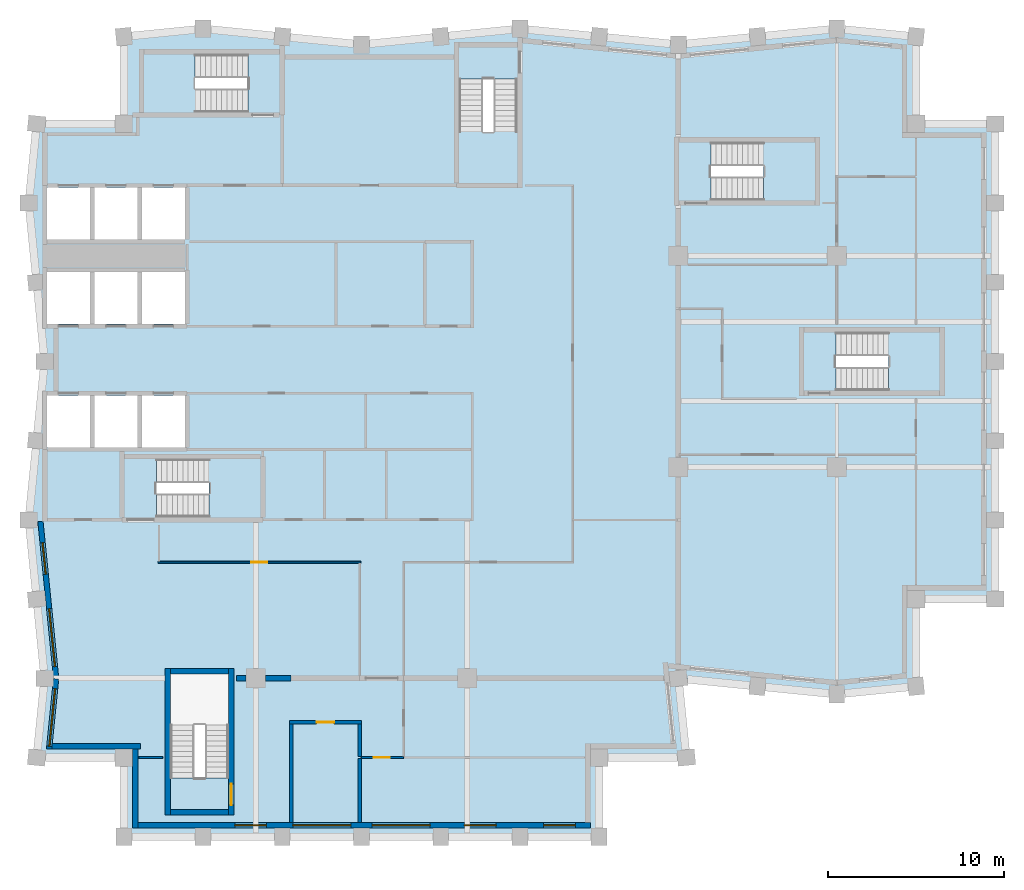
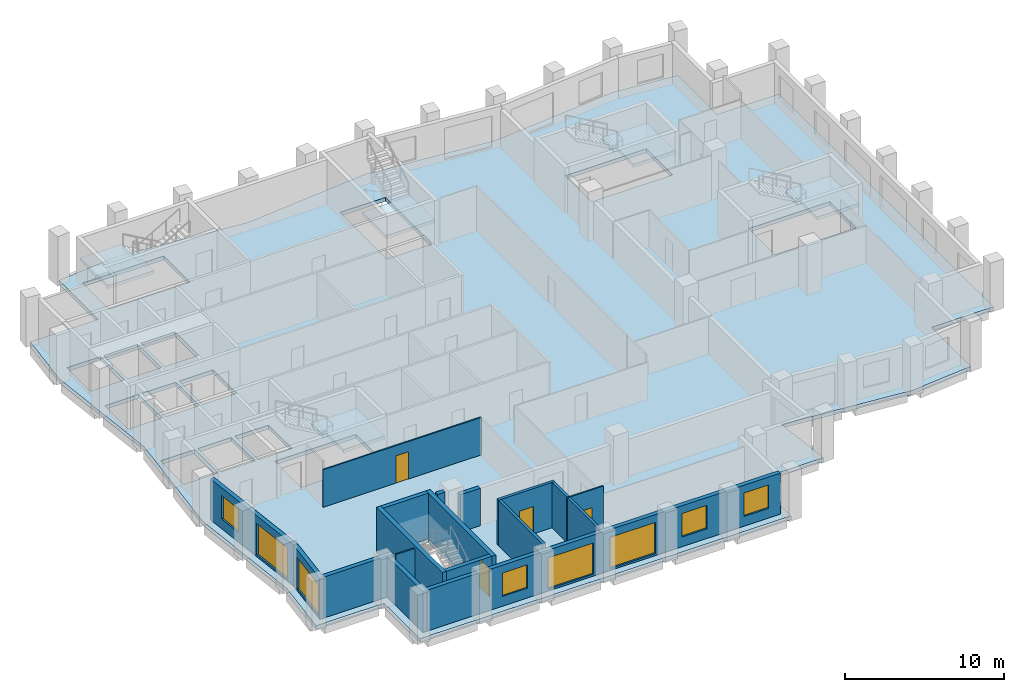
# One storey, part 2 of 8: 18 walls, 8 windows, 6 slabs, 4 doors, 12 openings, 5 elements without a shape of their own.
"""IFC4 building model written with IfcOpenShell, lengths in metres."""

from ifc_helpers import new_model, si_unit, direction, frame, frame_2d, origin, place, context, subcontext, project, spatial, polyline, rectangle, outline, extrude, material, layer, layer_set, type_object, element, fill, aggregate, save


model = new_model("IFC4")

# Units and contexts
model_context = context("Model", 3, precision=1e-05, world=origin(), true_north=direction((0.0, 1.0)))
body_context = subcontext(model_context, "Body", "Model", "MODEL_VIEW")
ifc_project = project(units=[si_unit("LENGTHUNIT", "METRE"), si_unit("AREAUNIT", "SQUARE_METRE"), si_unit("VOLUMEUNIT", "CUBIC_METRE"), si_unit("PLANEANGLEUNIT", "RADIAN"), si_unit("MASSUNIT", "GRAM", prefix="KILO")], contexts=[model_context])

# Site, building, storey
site_placement = place(None, origin())
site = spatial("IfcSite", under=ifc_project, at=site_placement, CompositionType="ELEMENT")
building_placement = place(site_placement, origin())
building = spatial("IfcBuilding", under=site, at=building_placement, Name="Brondeck Convention Tower", CompositionType="ELEMENT")
storey_placement = place(building_placement, frame((0.0, 0.0, 236.800048828125)))
storey = spatial("IfcBuildingStorey", under=building, at=storey_placement, Name="L58", CompositionType="ELEMENT", Elevation=236.800048828125)

# Slab
ifc_material_1 = material(Name="Concrete C35/45", Category="concrete")
ifc_layer_1 = layer(ifc_material_1, 0.300048828125)
ifc_layer_set_1 = layer_set([ifc_layer_1], Name="Composite floor slab 300")
slab_type_1 = type_object("IfcSlabType", Name="Composite floor slab 300", PredefinedType="FLOOR", material=ifc_layer_set_1)
slab_1_placement = place(storey_placement, frame((0.0, 0.0, -0.300048828125)))
element("IfcSlab", 1, at=slab_1_placement, inside=storey, type_object=slab_type_1, Name="STR-SL-L58", PredefinedType="FLOOR", context=body_context, shape_type="SweptSolid", body=[
    extrude(outline(polyline([(4.5, 22.5), (-0.449951171875, 22.5), (0.0, 27.0), (-0.89990234375, 36.0), (0.0, 45.0), (-0.89990234375, 54.0), (-0.449951171875, 58.5), (4.5, 58.5), (4.5, 63.449951171875), (9.0, 63.89990234375), (18.0, 63.0), (27.0, 63.89990234375), (36.0, 63.0), (45.0, 63.89990234375), (49.5, 63.449951171875), (49.5, 58.5), (54.0, 58.5), (54.0, 31.5), (49.5, 31.5), (49.5, 26.550048828125), (45.0, 26.10009765625), (36.0, 27.0), (36.449951171875, 22.5), (31.5, 22.5), (31.5, 18.0), (4.5, 18.0), (4.5, 22.5)]), holes=[polyline([(2.574951171875, 43.074951171875), (0.125, 43.074951171875), (0.125, 40.125), (2.574951171875, 40.125), (2.574951171875, 43.074951171875)]), polyline([(5.27490234375, 40.125), (5.27490234375, 43.074951171875), (2.824951171875, 43.074951171875), (2.824951171875, 40.125), (5.27490234375, 40.125)]), polyline([(7.97509765625, 40.125), (7.97509765625, 43.074951171875), (5.52490234375, 43.074951171875), (5.52490234375, 40.125), (7.97509765625, 40.125)]), polyline([(2.574951171875, 47.125), (2.574951171875, 50.074951171875), (0.125, 50.074951171875), (0.125, 47.125), (2.574951171875, 47.125)]), polyline([(5.27490234375, 47.125), (5.27490234375, 50.074951171875), (2.824951171875, 50.074951171875), (2.824951171875, 47.125), (5.27490234375, 47.125)]), polyline([(7.97509765625, 47.125), (7.97509765625, 50.074951171875), (5.52490234375, 50.074951171875), (5.52490234375, 47.125), (7.97509765625, 47.125)]), polyline([(2.574951171875, 51.925048828125), (2.574951171875, 54.875), (0.125, 54.875), (0.125, 51.925048828125), (2.574951171875, 51.925048828125)]), polyline([(5.27490234375, 51.925048828125), (5.27490234375, 54.875), (2.824951171875, 54.875), (2.824951171875, 51.925048828125), (5.27490234375, 51.925048828125)]), polyline([(10.447998046875, 27.248046875), (7.152099609375, 27.248046875), (7.152099609375, 21.35205078125), (10.447998046875, 21.35205078125), (10.447998046875, 27.248046875)]), polyline([(12.248046875, 36.152099609375), (12.248046875, 39.447998046875), (6.35205078125, 39.447998046875), (6.35205078125, 36.152099609375), (12.248046875, 36.152099609375)]), polyline([(50.847900390625, 43.35205078125), (50.847900390625, 46.64794921875), (44.951904296875, 46.64794921875), (44.951904296875, 43.35205078125), (50.847900390625, 43.35205078125)]), polyline([(7.97509765625, 51.925048828125), (7.97509765625, 54.875), (5.52490234375, 54.875), (5.52490234375, 51.925048828125), (7.97509765625, 51.925048828125)]), polyline([(43.748046875, 54.152099609375), (43.748046875, 57.447998046875), (37.85205078125, 57.447998046875), (37.85205078125, 54.152099609375), (43.748046875, 54.152099609375)]), polyline([(23.552001953125, 55.152099609375), (26.847900390625, 55.152099609375), (26.847900390625, 61.048095703125), (23.552001953125, 61.048095703125), (23.552001953125, 55.152099609375)]), polyline([(5.652099609375, 62.447998046875), (5.652099609375, 59.152099609375), (11.548095703125, 59.152099609375), (11.548095703125, 62.447998046875), (5.652099609375, 62.447998046875)])]), origin(), (0.0, 0.0, 1.0), 0.300048828125),
])

# Stair, slab
ifc_material_2 = material(Name="Precast concrete C50/60", Category="concrete")
stair_type = type_object("IfcStairType", Name="Core stair 22 risers 172.73 mm riser 300 mm going 1350 wide", PredefinedType="HALF_TURN_STAIR", material=ifc_material_2)
stair_1_placement = place(storey_placement, origin())
stair_1 = element("IfcStair", 2, at=stair_1_placement, inside=storey, type_object=stair_type, Name="ST-1 L58 stair", PredefinedType="HALF_TURN_STAIR")
ifc_layer_2 = layer(ifc_material_2, 0.25)
ifc_layer_set_2 = layer_set([ifc_layer_2], Name="Core stair landing 250 Precast concrete C50/60")
slab_type_2 = type_object("IfcSlabType", Name="Core stair landing 250 Precast concrete C50/60", PredefinedType="LANDING", material=ifc_layer_set_2)
slab_2_placement = place(storey_placement, frame((0.0, 0.0, 1.64990234375)))
slab_2 = element("IfcSlab", 3, at=slab_2_placement, type_object=slab_type_2, Name="ST-1 landing 1", PredefinedType="LANDING", context=body_context, shape_type="SweptSolid", body=[
    extrude(outline(polyline([(9.347900390625, 37.5), (9.35009765625, 37.5), (9.35009765625, 38.10009765625), (9.050048828125, 38.10009765625), (9.050048828125, 39.570068359375), (12.3701171875, 39.570068359375), (12.3701171875, 36.030029296875), (9.347900390625, 36.030029296875), (9.347900390625, 37.5)])), origin(), (0.0, 0.0, 1.0), 0.25),
])
aggregate(stair_1, [slab_2])

stair_2_placement = place(storey_placement, origin())
stair_2 = element("IfcStair", 4, at=stair_2_placement, inside=storey, type_object=stair_type, Name="ST-2 L58 stair", PredefinedType="HALF_TURN_STAIR")
slab_3_placement = place(storey_placement, frame((0.0, 0.0, 1.64990234375)))
slab_3 = element("IfcSlab", 5, at=slab_3_placement, type_object=slab_type_2, Name="ST-2 landing 1", PredefinedType="LANDING", context=body_context, shape_type="SweptSolid", body=[
    extrude(outline(polyline([(23.429931640625, 58.052001953125), (24.89990234375, 58.052001953125), (24.89990234375, 58.050048828125), (25.5, 58.050048828125), (25.5, 58.35009765625), (26.969970703125, 58.35009765625), (26.969970703125, 55.030029296875), (23.429931640625, 55.030029296875), (23.429931640625, 58.052001953125)])), origin(), (0.0, 0.0, 1.0), 0.25),
])
aggregate(stair_2, [slab_3])

stair_3_placement = place(storey_placement, origin())
stair_3 = element("IfcStair", 6, at=stair_3_placement, inside=storey, type_object=stair_type, Name="ST-3 L58 stair", PredefinedType="HALF_TURN_STAIR")
slab_4_placement = place(storey_placement, frame((0.0, 0.0, 1.64990234375)))
slab_4 = element("IfcSlab", 7, at=slab_4_placement, type_object=slab_type_2, Name="ST-3 landing 1", PredefinedType="LANDING", context=body_context, shape_type="SweptSolid", body=[
    extrude(outline(polyline([(8.85009765625, 60.5), (8.85009765625, 59.030029296875), (5.530029296875, 59.030029296875), (5.530029296875, 62.570068359375), (8.552001953125, 62.570068359375), (8.552001953125, 61.10009765625), (8.550048828125, 61.10009765625), (8.550048828125, 60.5), (8.85009765625, 60.5)])), origin(), (0.0, 0.0, 1.0), 0.25),
])
aggregate(stair_3, [slab_4])

stair_4_placement = place(storey_placement, origin())
stair_4 = element("IfcStair", 8, at=stair_4_placement, inside=storey, type_object=stair_type, Name="ST-AE L58 stair", PredefinedType="HALF_TURN_STAIR")
slab_5_placement = place(storey_placement, frame((0.0, 0.0, 1.64990234375)))
slab_5 = element("IfcSlab", 9, at=slab_5_placement, type_object=slab_type_2, Name="ST-AE landing 1", PredefinedType="LANDING", context=body_context, shape_type="SweptSolid", body=[
    extrude(outline(polyline([(40.847900390625, 55.5), (40.85009765625, 55.5), (40.85009765625, 56.10009765625), (40.550048828125, 56.10009765625), (40.550048828125, 57.570068359375), (43.8701171875, 57.570068359375), (43.8701171875, 54.030029296875), (40.847900390625, 54.030029296875), (40.847900390625, 55.5)])), origin(), (0.0, 0.0, 1.0), 0.25),
])
aggregate(stair_4, [slab_5])

stair_5_placement = place(storey_placement, origin())
stair_5 = element("IfcStair", 10, at=stair_5_placement, inside=storey, type_object=stair_type, Name="ST-AF L58 stair", PredefinedType="HALF_TURN_STAIR")
slab_6_placement = place(storey_placement, frame((0.0, 0.0, 1.64990234375)))
slab_6 = element("IfcSlab", 11, at=slab_6_placement, type_object=slab_type_2, Name="ST-AF landing 1", PredefinedType="LANDING", context=body_context, shape_type="SweptSolid", body=[
    extrude(outline(polyline([(47.947998046875, 44.699951171875), (47.949951171875, 44.699951171875), (47.949951171875, 45.300048828125), (47.64990234375, 45.300048828125), (47.64990234375, 46.77001953125), (50.969970703125, 46.77001953125), (50.969970703125, 43.22998046875), (47.947998046875, 43.22998046875), (47.947998046875, 44.699951171875)])), origin(), (0.0, 0.0, 1.0), 0.25),
])
aggregate(stair_5, [slab_6])

# Walls
ifc_material_3 = material(Name="Concrete compartment wall C30/37", Category="concrete")
ifc_layer_3 = layer(ifc_material_3, 0.300048828125)
ifc_layer_set_3 = layer_set([ifc_layer_3], Name="Compartment wall 300")
wall_type_1 = type_object("IfcWallType", Name="Compartment wall 300", PredefinedType="PARTITIONING", material=ifc_layer_set_3)
wall_1_placement = place(storey_placement, frame((10.89990234375, 27.0, 0.0), z_axis=(0.0, 0.0, 1.0), x_axis=(1.0, 0.0, 0.0)))
element("IfcWall", 12, at=wall_1_placement, inside=storey, type_object=wall_type_1, Name="FLR-L58-W013", PredefinedType="PARTITIONING", context=body_context, shape_type="SweptSolid", body=[
    extrude(rectangle(XDim=0.545166015625, YDim=0.300048828125, at=frame_2d((0.2724609375, 0.0))), origin(), (0.0, 0.0, 1.0), 3.47998046875),
])
wall_2_placement = place(storey_placement, frame((12.554931640625, 27.0, 0.0), z_axis=(0.0, 0.0, 1.0), x_axis=(1.0, 0.0, 0.0)))
element("IfcWall", 13, at=wall_2_placement, inside=storey, type_object=wall_type_1, Name="FLR-L58-W014", PredefinedType="PARTITIONING", context=body_context, shape_type="SweptSolid", body=[
    extrude(rectangle(XDim=1.445068359375, YDim=0.300048828125, at=frame_2d((0.72265625, 0.0))), origin(), (0.0, 0.0, 1.0), 2.8798828125),
])

# Wall, openings, windows
ifc_material_4 = material(Name="Precast concrete C50/60 bronze finish", Category="concrete")
ifc_layer_4 = layer(ifc_material_4, 0.070068359375, Name="Bronze precast facing")
ifc_material_5 = material(Name="Mineral wool")
ifc_layer_5 = layer(ifc_material_5, 0.159912109375, Name="Insulation")
ifc_layer_6 = layer(ifc_material_1, 0.070068359375, Name="Backing")
ifc_layer_set_4 = layer_set([ifc_layer_4, ifc_layer_5, ifc_layer_6], Name="External infill wall, precast concrete C50/60 bronze facing")
wall_type_2 = type_object("IfcWallType", Name="External infill wall, precast concrete C50/60 bronze facing", PredefinedType="SOLIDWALL", material=ifc_layer_set_4)
wall_3_placement = place(storey_placement, frame((31.0, 18.64990234375, 0.0), z_axis=(0.0, 0.0, 1.0), x_axis=(-1.0, 0.0, 0.0)))
wall_3 = element("IfcWall", 14, at=wall_3_placement, inside=storey, type_object=wall_type_2, Name="ENV-EW-L58-P2-B-S18-01", PredefinedType="SOLIDWALL", context=body_context, shape_type="SweptSolid", body=[
    extrude(rectangle(XDim=25.699951171875, YDim=0.300048828125, at=frame_2d((12.85009765625, 0.0))), origin(), (0.0, 0.0, 1.0), 3.14990234375),
])
opening_1_placement = place(wall_3_placement, frame((0.85009765625, 0.0, 0.75)))
opening_1 = element("IfcOpeningElement", 15, at=opening_1_placement, cuts=wall_3, Name="Opening W10", PredefinedType="OPENING", context=body_context, shape_type="SweptSolid", body=[
    extrude(rectangle(XDim=1.800048828125, YDim=1.800048828125, at=frame_2d((0.89990234375, 0.89990234375))), frame((0.0, 0.159912109375, 0.0), z_axis=(0.0, -1.0, 0.0), x_axis=(1.0, 0.0, 0.0)), (0.0, 0.0, 1.0), 0.320068359375),
])
opening_2_placement = place(wall_3_placement, frame((5.35009765625, 0.0, 0.75)))
opening_2 = element("IfcOpeningElement", 16, at=opening_2_placement, cuts=wall_3, Name="Opening W10", PredefinedType="OPENING", context=body_context, shape_type="SweptSolid", body=[
    extrude(rectangle(XDim=1.800048828125, YDim=1.800048828125, at=frame_2d((0.89990234375, 0.89990234375))), frame((0.0, 0.159912109375, 0.0), z_axis=(0.0, -1.0, 0.0), x_axis=(1.0, 0.0, 0.0)), (0.0, 0.0, 1.0), 0.320068359375),
])
opening_3_placement = place(wall_3_placement, frame((9.10009765625, 0.0, 0.14990234375)))
opening_3 = element("IfcOpeningElement", 17, at=opening_3_placement, cuts=wall_3, Name="Opening W9", PredefinedType="OPENING", context=body_context, shape_type="SweptSolid", body=[
    extrude(rectangle(XDim=3.300048828125, YDim=2.39990234375, at=frame_2d((1.64990234375, 1.199951171875))), frame((0.0, 0.159912109375, 0.0), z_axis=(0.0, -1.0, 0.0), x_axis=(1.0, 0.0, 0.0)), (0.0, 0.0, 1.0), 0.320068359375),
])
opening_4_placement = place(wall_3_placement, frame((13.60009765625, 0.0, 0.14990234375)))
opening_4 = element("IfcOpeningElement", 18, at=opening_4_placement, cuts=wall_3, Name="Opening W9", PredefinedType="OPENING", context=body_context, shape_type="SweptSolid", body=[
    extrude(rectangle(XDim=3.300048828125, YDim=2.39990234375, at=frame_2d((1.64990234375, 1.199951171875))), frame((0.0, 0.159912109375, 0.0), z_axis=(0.0, -1.0, 0.0), x_axis=(1.0, 0.0, 0.0)), (0.0, 0.0, 1.0), 0.320068359375),
])
opening_5_placement = place(wall_3_placement, frame((18.39990234375, 0.0, 0.75)))
opening_5 = element("IfcOpeningElement", 19, at=opening_5_placement, cuts=wall_3, Name="Opening W10", PredefinedType="OPENING", context=body_context, shape_type="SweptSolid", body=[
    extrude(rectangle(XDim=1.800048828125, YDim=1.800048828125, at=frame_2d((0.89990234375, 0.89990234375))), frame((0.0, 0.159912109375, 0.0), z_axis=(0.0, -1.0, 0.0), x_axis=(1.0, 0.0, 0.0)), (0.0, 0.0, 1.0), 0.320068359375),
])
ifc_material_6 = material(Name="Bronze tinted double glazing", Category="glass")
window_type_1 = type_object("IfcWindowType", Name="Glazed flute window, bronze tinted", PartitioningType="SINGLE_PANEL", PredefinedType="WINDOW", material=ifc_material_6)
window_1_placement = place(opening_3_placement, origin())
window_1 = element("IfcWindow", 20, at=window_1_placement, inside=storey, type_object=window_type_1, Name="ENV-WN-L58-P2-B-S18-04", OverallHeight=2.39990234375, OverallWidth=3.300048828125, PartitioningType="SINGLE_PANEL", PredefinedType="WINDOW", context=body_context, shape_type="SweptSolid", body=[
    extrude(rectangle(XDim=3.300048828125, YDim=2.39990234375, at=frame_2d((1.64990234375, 1.199951171875))), frame((0.0, 0.030029296875, 0.0), z_axis=(0.0, -1.0, 0.0), x_axis=(1.0, 0.0, 0.0)), (0.0, 0.0, 1.0), 0.06005859375),
])
fill(opening_3, window_1)
window_2_placement = place(opening_4_placement, origin())
window_2 = element("IfcWindow", 21, at=window_2_placement, inside=storey, type_object=window_type_1, Name="ENV-WN-L58-P2-B-S18-03", OverallHeight=2.39990234375, OverallWidth=3.300048828125, PartitioningType="SINGLE_PANEL", PredefinedType="WINDOW", context=body_context, shape_type="SweptSolid", body=[
    extrude(rectangle(XDim=3.300048828125, YDim=2.39990234375, at=frame_2d((1.64990234375, 1.199951171875))), frame((0.0, 0.030029296875, 0.0), z_axis=(0.0, -1.0, 0.0), x_axis=(1.0, 0.0, 0.0)), (0.0, 0.0, 1.0), 0.06005859375),
])
fill(opening_4, window_2)
window_type_2 = type_object("IfcWindowType", Name="Punched window, bronze tinted", PartitioningType="SINGLE_PANEL", PredefinedType="WINDOW", material=ifc_material_6)
window_3_placement = place(opening_1_placement, origin())
window_3 = element("IfcWindow", 22, at=window_3_placement, inside=storey, type_object=window_type_2, Name="ENV-WN-L58-P2-B-S18-06", OverallHeight=1.800048828125, OverallWidth=1.800048828125, PartitioningType="SINGLE_PANEL", PredefinedType="WINDOW", context=body_context, shape_type="SweptSolid", body=[
    extrude(rectangle(XDim=1.800048828125, YDim=1.800048828125, at=frame_2d((0.89990234375, 0.89990234375))), frame((0.0, 0.030029296875, 0.0), z_axis=(0.0, -1.0, 0.0), x_axis=(1.0, 0.0, 0.0)), (0.0, 0.0, 1.0), 0.06005859375),
])
fill(opening_1, window_3)
window_4_placement = place(opening_2_placement, origin())
window_4 = element("IfcWindow", 23, at=window_4_placement, inside=storey, type_object=window_type_2, Name="ENV-WN-L58-P2-B-S18-05", OverallHeight=1.800048828125, OverallWidth=1.800048828125, PartitioningType="SINGLE_PANEL", PredefinedType="WINDOW", context=body_context, shape_type="SweptSolid", body=[
    extrude(rectangle(XDim=1.800048828125, YDim=1.800048828125, at=frame_2d((0.89990234375, 0.89990234375))), frame((0.0, 0.030029296875, 0.0), z_axis=(0.0, -1.0, 0.0), x_axis=(1.0, 0.0, 0.0)), (0.0, 0.0, 1.0), 0.06005859375),
])
fill(opening_2, window_4)
window_5_placement = place(opening_5_placement, origin())
window_5 = element("IfcWindow", 24, at=window_5_placement, inside=storey, type_object=window_type_2, Name="ENV-WN-L58-P2-B-S18-02", OverallHeight=1.800048828125, OverallWidth=1.800048828125, PartitioningType="SINGLE_PANEL", PredefinedType="WINDOW", context=body_context, shape_type="SweptSolid", body=[
    extrude(rectangle(XDim=1.800048828125, YDim=1.800048828125, at=frame_2d((0.89990234375, 0.89990234375))), frame((0.0, 0.030029296875, 0.0), z_axis=(0.0, -1.0, 0.0), x_axis=(1.0, 0.0, 0.0)), (0.0, 0.0, 1.0), 0.06005859375),
])
fill(opening_5, window_5)

wall_4_placement = place(storey_placement, frame((0.65478515625, 26.985107421875, 0.0), z_axis=(0.0, 0.0, 1.0), x_axis=(-0.099509105781, 0.995036651519, 0.0)))
wall_4 = element("IfcWall", 25, at=wall_4_placement, inside=storey, type_object=wall_type_2, Name="ENV-EW-L58-P2-B-W-06", PredefinedType="SOLIDWALL", context=body_context, shape_type="SweptSolid", body=[
    extrude(rectangle(XDim=8.974609375, YDim=0.300048828125, at=frame_2d((4.4873046875, 0.0))), origin(), (0.0, 0.0, 1.0), 3.14990234375),
])
opening_6_placement = place(wall_4_placement, frame((0.691162109375, 0.0, 0.14990234375)))
opening_6 = element("IfcOpeningElement", 26, at=opening_6_placement, cuts=wall_4, Name="Opening W9", PredefinedType="OPENING", context=body_context, shape_type="SweptSolid", body=[
    extrude(rectangle(XDim=3.300048828125, YDim=2.39990234375, at=frame_2d((1.64990234375, 1.199951171875))), frame((0.0, 0.159912109375, 0.0), z_axis=(0.0, -1.0, 0.0), x_axis=(1.0, 0.0, 0.0)), (0.0, 0.0, 1.0), 0.320068359375),
])
opening_7_placement = place(wall_4_placement, frame((5.963623046875, 0.0, 0.75)))
opening_7 = element("IfcOpeningElement", 27, at=opening_7_placement, cuts=wall_4, Name="Opening W10", PredefinedType="OPENING", context=body_context, shape_type="SweptSolid", body=[
    extrude(rectangle(XDim=1.800048828125, YDim=1.800048828125, at=frame_2d((0.89990234375, 0.89990234375))), frame((0.0, 0.159912109375, 0.0), z_axis=(0.0, -1.0, 0.0), x_axis=(1.0, 0.0, 0.0)), (0.0, 0.0, 1.0), 0.320068359375),
])
window_6_placement = place(opening_6_placement, origin())
window_6 = element("IfcWindow", 28, at=window_6_placement, inside=storey, type_object=window_type_1, Name="ENV-WN-L58-P2-B-W-07", OverallHeight=2.39990234375, OverallWidth=3.300048828125, PartitioningType="SINGLE_PANEL", PredefinedType="WINDOW", context=body_context, shape_type="SweptSolid", body=[
    extrude(rectangle(XDim=3.300048828125, YDim=2.39990234375, at=frame_2d((1.64990234375, 1.199951171875))), frame((0.0, 0.030029296875, 0.0), z_axis=(0.0, -1.0, 0.0), x_axis=(1.0, 0.0, 0.0)), (0.0, 0.0, 1.0), 0.06005859375),
])
fill(opening_6, window_6)
window_7_placement = place(opening_7_placement, origin())
window_7 = element("IfcWindow", 29, at=window_7_placement, inside=storey, type_object=window_type_2, Name="ENV-WN-L58-P2-B-W-06", OverallHeight=1.800048828125, OverallWidth=1.800048828125, PartitioningType="SINGLE_PANEL", PredefinedType="WINDOW", context=body_context, shape_type="SweptSolid", body=[
    extrude(rectangle(XDim=1.800048828125, YDim=1.800048828125, at=frame_2d((0.89990234375, 0.89990234375))), frame((0.0, 0.030029296875, 0.0), z_axis=(0.0, -1.0, 0.0), x_axis=(1.0, 0.0, 0.0)), (0.0, 0.0, 1.0), 0.06005859375),
])
fill(opening_7, window_7)

# Wall, opening, window
wall_5_placement = place(storey_placement, frame((0.251708984375, 22.985107421875, 0.0), z_axis=(0.0, 0.0, 1.0), x_axis=(0.09954596771, 0.995032964435, 0.0)))
wall_5 = element("IfcWall", 30, at=wall_5_placement, inside=storey, type_object=wall_type_2, Name="ENV-EW-L58-P2-B-W-08", PredefinedType="SOLIDWALL", context=body_context, shape_type="SweptSolid", body=[
    extrude(rectangle(XDim=4.0048828125, YDim=0.300048828125, at=frame_2d((2.00244140625, 0.0))), origin(), (0.0, 0.0, 1.0), 3.14990234375),
])
opening_8_placement = place(wall_5_placement, frame((0.14990234375, 0.0, 0.14990234375)))
opening_8 = element("IfcOpeningElement", 31, at=opening_8_placement, cuts=wall_5, Name="Opening W9", PredefinedType="OPENING", context=body_context, shape_type="SweptSolid", body=[
    extrude(rectangle(XDim=3.300048828125, YDim=2.39990234375, at=frame_2d((1.64990234375, 1.199951171875))), frame((0.0, 0.159912109375, 0.0), z_axis=(0.0, -1.0, 0.0), x_axis=(1.0, 0.0, 0.0)), (0.0, 0.0, 1.0), 0.320068359375),
])
window_8_placement = place(opening_8_placement, origin())
window_8 = element("IfcWindow", 32, at=window_8_placement, inside=storey, type_object=window_type_1, Name="ENV-WN-L58-P2-B-W-08", OverallHeight=2.39990234375, OverallWidth=3.300048828125, PartitioningType="SINGLE_PANEL", PredefinedType="WINDOW", context=body_context, shape_type="SweptSolid", body=[
    extrude(rectangle(XDim=3.300048828125, YDim=2.39990234375, at=frame_2d((1.64990234375, 1.199951171875))), frame((0.0, 0.030029296875, 0.0), z_axis=(0.0, -1.0, 0.0), x_axis=(1.0, 0.0, 0.0)), (0.0, 0.0, 1.0), 0.06005859375),
])
fill(opening_8, window_8)

# Walls
wall_6_placement = place(storey_placement, frame((5.449951171875, 23.14990234375, 0.0), z_axis=(0.0, 0.0, 1.0), x_axis=(-1.0, 0.0, 0.0)))
element("IfcWall", 33, at=wall_6_placement, inside=storey, type_object=wall_type_2, Name="ENV-EW-L58-P2-NC-SWB18-01", PredefinedType="SOLIDWALL", context=body_context, shape_type="SweptSolid", body=[
    extrude(rectangle(XDim=5.025634765625, YDim=0.300048828125, at=frame_2d((2.5126953125, 0.0))), origin(), (0.0, 0.0, 1.0), 3.14990234375),
])
wall_7_placement = place(storey_placement, frame((5.14990234375, 18.5, 0.0), z_axis=(0.0, 0.0, 1.0), x_axis=(0.0, 1.0, 0.0)))
element("IfcWall", 34, at=wall_7_placement, inside=storey, type_object=wall_type_2, Name="ENV-EW-L58-P2-NC-SWB18-02", PredefinedType="SOLIDWALL", context=body_context, shape_type="SweptSolid", body=[
    extrude(rectangle(XDim=4.5, YDim=0.300048828125, at=frame_2d((2.25, 0.0))), origin(), (0.0, 0.0, 1.0), 3.14990234375),
])
ifc_material_7 = material(Name="Concrete block wall C16/20", Category="concrete")
ifc_layer_7 = layer(ifc_material_7, 0.199951171875)
ifc_layer_set_5 = layer_set([ifc_layer_7], Name="Plant room wall 200")
wall_type_3 = type_object("IfcWallType", Name="Plant room wall 200", PredefinedType="PARTITIONING", material=ifc_layer_set_5)
wall_8_placement = place(storey_placement, frame((17.89990234375, 22.449951171875, 0.0), z_axis=(0.0, 0.0, 1.0), x_axis=(0.0, -1.0, 0.0)))
element("IfcWall", 35, at=wall_8_placement, inside=storey, type_object=wall_type_3, Name="FLR-L58-W001", PredefinedType="PARTITIONING", context=body_context, shape_type="SweptSolid", body=[
    extrude(rectangle(XDim=3.6298828125, YDim=0.199951171875, at=frame_2d((1.81494140625, 0.0))), origin(), (0.0, 0.0, 1.0), 3.47998046875),
])
wall_9_placement = place(storey_placement, frame((17.89990234375, 22.550048828125, 0.0), z_axis=(0.0, 0.0, 1.0), x_axis=(0.0, 1.0, 0.0)))
element("IfcWall", 36, at=wall_9_placement, inside=storey, type_object=wall_type_3, Name="FLR-L58-W006", PredefinedType="PARTITIONING", context=body_context, shape_type="SweptSolid", body=[
    extrude(rectangle(XDim=1.849853515625, YDim=0.199951171875, at=frame_2d((0.9248046875, 0.0))), origin(), (0.0, 0.0, 1.0), 3.47998046875),
])
wall_10_placement = place(storey_placement, frame((14.0, 24.39990234375, 0.0), z_axis=(0.0, 0.0, 1.0), x_axis=(0.0, -1.0, 0.0)))
element("IfcWall", 37, at=wall_10_placement, inside=storey, type_object=wall_type_3, Name="FLR-L58-W009", PredefinedType="PARTITIONING", context=body_context, shape_type="SweptSolid", body=[
    extrude(rectangle(XDim=5.579833984375, YDim=0.199951171875, at=frame_2d((2.7900390625, 0.0))), origin(), (0.0, 0.0, 1.0), 3.47998046875),
])

# Wall, opening, door
wall_11_placement = place(storey_placement, frame((18.0, 24.5, 0.0), z_axis=(0.0, 0.0, 1.0), x_axis=(-1.0, 0.0, 0.0)))
wall_11 = element("IfcWall", 38, at=wall_11_placement, inside=storey, type_object=wall_type_3, Name="FLR-L58-W010", PredefinedType="PARTITIONING", context=body_context, shape_type="SweptSolid", body=[
    extrude(rectangle(XDim=4.10009765625, YDim=0.199951171875, at=frame_2d((2.050048828125, 0.0))), origin(), (0.0, 0.0, 1.0), 3.47998046875),
])
opening_9_placement = place(wall_11_placement, frame((1.550048828125, 0.0, 0.0)))
opening_9 = element("IfcOpeningElement", 39, at=opening_9_placement, cuts=wall_11, Name="Opening OF-N-002", PredefinedType="OPENING", context=body_context, shape_type="SweptSolid", body=[
    extrude(rectangle(XDim=1.0, YDim=2.10009765625, at=frame_2d((0.5, 1.050048828125))), frame((0.0, 0.10986328125, 0.0), z_axis=(0.0, -1.0, 0.0), x_axis=(1.0, 0.0, 0.0)), (0.0, 0.0, 1.0), 0.219970703125),
])
ifc_material_8 = material(Name="Steel fire door leaf", Category="steel")
door_type_1 = type_object("IfcDoorType", Name="Plant room door 1000", OperationType="NOTDEFINED", PredefinedType="DOOR", material=ifc_material_8)
door_1_placement = place(opening_9_placement, origin())
door_1 = element("IfcDoor", 40, at=door_1_placement, inside=storey, type_object=door_type_1, Name="Door OF-N-002", OperationType="SINGLE_SWING_RIGHT", OverallHeight=2.10009765625, OverallWidth=1.0, PredefinedType="DOOR", context=body_context, shape_type="SweptSolid", body=[
    extrude(rectangle(XDim=1.0, YDim=2.10009765625, at=frame_2d((0.5, 1.050048828125))), frame((0.0, 0.02490234375, 0.0), z_axis=(0.0, -1.0, 0.0), x_axis=(1.0, 0.0, 0.0)), (0.0, 0.0, 1.0), 0.050048828125),
])
fill(opening_9, door_1)

# Wall
ifc_material_9 = material(Name="Gypsum board partition on steel studs", Category="steel")
ifc_layer_8 = layer(ifc_material_9, 0.10009765625)
ifc_layer_set_6 = layer_set([ifc_layer_8], Name="Room partition 100")
wall_type_4 = type_object("IfcWallType", Name="Room partition 100", PredefinedType="PARTITIONING", material=ifc_layer_set_6)
wall_12_placement = place(storey_placement, frame((5.35009765625, 22.5, 0.0), z_axis=(0.0, 0.0, 1.0), x_axis=(1.0, 0.0, 0.0)))
element("IfcWall", 41, at=wall_12_placement, inside=storey, type_object=wall_type_4, Name="FLR-L58-W002", PredefinedType="PARTITIONING", context=body_context, shape_type="SweptSolid", body=[
    extrude(rectangle(XDim=1.349853515625, YDim=0.10009765625, at=frame_2d((0.6748046875, 0.0))), origin(), (0.0, 0.0, 1.0), 3.47998046875),
])

# Wall, opening, door
wall_13_placement = place(storey_placement, frame((20.39990234375, 22.5, 0.0), z_axis=(0.0, 0.0, 1.0), x_axis=(-1.0, 0.0, 0.0)))
wall_13 = element("IfcWall", 42, at=wall_13_placement, inside=storey, type_object=wall_type_4, Name="FLR-L58-W003", PredefinedType="PARTITIONING", context=body_context, shape_type="SweptSolid", body=[
    extrude(rectangle(XDim=2.39990234375, YDim=0.10009765625, at=frame_2d((1.199951171875, 0.0))), origin(), (0.0, 0.0, 1.0), 3.47998046875),
])
opening_10_placement = place(wall_13_placement, frame((0.800048828125, 0.0, 0.0)))
opening_10 = element("IfcOpeningElement", 43, at=opening_10_placement, cuts=wall_13, Name="Opening OF-N-007", PredefinedType="OPENING", context=body_context, shape_type="SweptSolid", body=[
    extrude(rectangle(XDim=0.89990234375, YDim=2.10009765625, at=frame_2d((0.449951171875, 1.050048828125))), frame((0.0, 0.06005859375, 0.0), z_axis=(0.0, -1.0, 0.0), x_axis=(1.0, 0.0, 0.0)), (0.0, 0.0, 1.0), 0.1201171875),
])
ifc_material_10 = material(Name="Solid timber door leaf", Category="wood")
door_type_2 = type_object("IfcDoorType", Name="Single door 900", OperationType="NOTDEFINED", PredefinedType="DOOR", material=ifc_material_10)
door_2_placement = place(opening_10_placement, origin())
door_2 = element("IfcDoor", 44, at=door_2_placement, inside=storey, type_object=door_type_2, Name="Door OF-N-007", OperationType="SINGLE_SWING_LEFT", OverallHeight=2.10009765625, OverallWidth=0.89990234375, PredefinedType="DOOR", context=body_context, shape_type="SweptSolid", body=[
    extrude(rectangle(XDim=0.89990234375, YDim=2.10009765625, at=frame_2d((0.449951171875, 1.050048828125))), frame((0.0, 0.02490234375, 0.0), z_axis=(0.0, -1.0, 0.0), x_axis=(1.0, 0.0, 0.0)), (0.0, 0.0, 1.0), 0.050048828125),
])
fill(opening_10, door_2)

wall_14_placement = place(storey_placement, frame((17.949951171875, 33.60009765625, 0.0), z_axis=(0.0, 0.0, 1.0), x_axis=(-1.0, 0.0, 0.0)))
wall_14 = element("IfcWall", 45, at=wall_14_placement, inside=storey, type_object=wall_type_4, Name="FLR-L58-W025", PredefinedType="PARTITIONING", context=body_context, shape_type="SweptSolid", body=[
    extrude(rectangle(XDim=11.5, YDim=0.10009765625, at=frame_2d((5.75, 0.0))), origin(), (0.0, 0.0, 1.0), 2.8798828125),
])
opening_11_placement = place(wall_14_placement, frame((5.300048828125, 0.0, 0.0)))
opening_11 = element("IfcOpeningElement", 46, at=opening_11_placement, cuts=wall_14, Name="Opening OF-N-009", PredefinedType="OPENING", context=body_context, shape_type="SweptSolid", body=[
    extrude(rectangle(XDim=0.89990234375, YDim=2.10009765625, at=frame_2d((0.449951171875, 1.050048828125))), frame((0.0, 0.06005859375, 0.0), z_axis=(0.0, -1.0, 0.0), x_axis=(1.0, 0.0, 0.0)), (0.0, 0.0, 1.0), 0.1201171875),
])
door_3_placement = place(opening_11_placement, origin())
door_3 = element("IfcDoor", 47, at=door_3_placement, inside=storey, type_object=door_type_2, Name="Door OF-N-009", OperationType="SINGLE_SWING_LEFT", OverallHeight=2.10009765625, OverallWidth=0.89990234375, PredefinedType="DOOR", context=body_context, shape_type="SweptSolid", body=[
    extrude(rectangle(XDim=0.89990234375, YDim=2.10009765625, at=frame_2d((0.449951171875, 1.050048828125))), frame((0.0, 0.02490234375, 0.0), z_axis=(0.0, -1.0, 0.0), x_axis=(1.0, 0.0, 0.0)), (0.0, 0.0, 1.0), 0.050048828125),
])
fill(opening_11, door_3)

# Walls
ifc_material_11 = material(Name="Concrete C50/60", Category="concrete")
ifc_layer_9 = layer(ifc_material_11, 0.300048828125)
ifc_layer_set_7 = layer_set([ifc_layer_9], Name="Stair enclosure wall 300 Concrete C50/60")
wall_type_5 = type_object("IfcWallType", Name="Stair enclosure wall 300 Concrete C50/60", PredefinedType="SHEAR", material=ifc_layer_set_7)
for number, where, z_axis, x_axis, name in (
    (48, (7.14990234375, 19.39990234375, 0.0), (0.0, 0.0, 1.0), (1.0, 0.0, 0.0), "L58 core wall"),
    (49, (7.14990234375, 27.39990234375, 0.0), (0.0, 0.0, 1.0), (1.0, 0.0, 0.0), "L58 core wall"),
):
    element("IfcWall", number, at=place(storey_placement, frame(where, z_axis=z_axis, x_axis=x_axis)), inside=storey, type_object=wall_type_5, Name=name, PredefinedType="SHEAR", context=body_context, shape_type="SweptSolid", body=[
        extrude(rectangle(XDim=3.300048828125, YDim=0.300048828125, at=frame_2d((1.64990234375, 0.0))), origin(), (0.0, 0.0, 1.0), 3.5),
    ])
wall_15_placement = place(storey_placement, frame((7.0, 19.25, 0.0), z_axis=(0.0, 0.0, 1.0), x_axis=(0.0, 1.0, 0.0)))
element("IfcWall", 50, at=wall_15_placement, inside=storey, type_object=wall_type_5, Name="L58 core wall", PredefinedType="SHEAR", context=body_context, shape_type="SweptSolid", body=[
    extrude(rectangle(XDim=8.300048828125, YDim=0.300048828125, at=frame_2d((4.14990234375, 0.0))), origin(), (0.0, 0.0, 1.0), 3.5),
])

# Wall, opening, door
wall_16_placement = place(storey_placement, frame((10.60009765625, 19.25, 0.0), z_axis=(0.0, 0.0, 1.0), x_axis=(0.0, 1.0, 0.0)))
wall_16 = element("IfcWall", 51, at=wall_16_placement, inside=storey, type_object=wall_type_5, Name="L58 core wall", PredefinedType="SHEAR", context=body_context, shape_type="SweptSolid", body=[
    extrude(rectangle(XDim=8.300048828125, YDim=0.300048828125, at=frame_2d((4.14990234375, 0.0))), origin(), (0.0, 0.0, 1.0), 3.5),
])
opening_12_placement = place(wall_16_placement, frame((0.550048828125, 0.0, 0.0)))
opening_12 = element("IfcOpeningElement", 52, at=opening_12_placement, cuts=wall_16, Name="Opening C31-17", PredefinedType="OPENING", context=body_context, shape_type="SweptSolid", body=[
    extrude(rectangle(XDim=1.199951171875, YDim=2.199951171875, at=frame_2d((0.60009765625, 1.10009765625))), frame((0.0, 0.159912109375, 0.0), z_axis=(0.0, -1.0, 0.0), x_axis=(1.0, 0.0, 0.0)), (0.0, 0.0, 1.0), 0.320068359375),
])
ifc_material_12 = material(Name="Steel fire door", Category="steel")
door_type_3 = type_object("IfcDoorType", Name="Stair door 1200x2200 EI 90", OperationType="NOTDEFINED", PredefinedType="DOOR", material=ifc_material_12)
door_4_placement = place(opening_12_placement, origin())
door_4 = element("IfcDoor", 53, at=door_4_placement, inside=storey, type_object=door_type_3, Name="L58 Stair door ST-BE", OperationType="SINGLE_SWING_RIGHT", OverallHeight=2.199951171875, OverallWidth=1.199951171875, PredefinedType="DOOR", context=body_context, shape_type="SweptSolid", body=[
    extrude(rectangle(XDim=1.199951171875, YDim=2.199951171875, at=frame_2d((0.60009765625, 1.10009765625))), frame((0.0, 0.02490234375, 0.0), z_axis=(0.0, -1.0, 0.0), x_axis=(1.0, 0.0, 0.0)), (0.0, 0.0, 1.0), 0.050048828125),
])
fill(opening_12, door_4)

save(model, "model.ifc")
